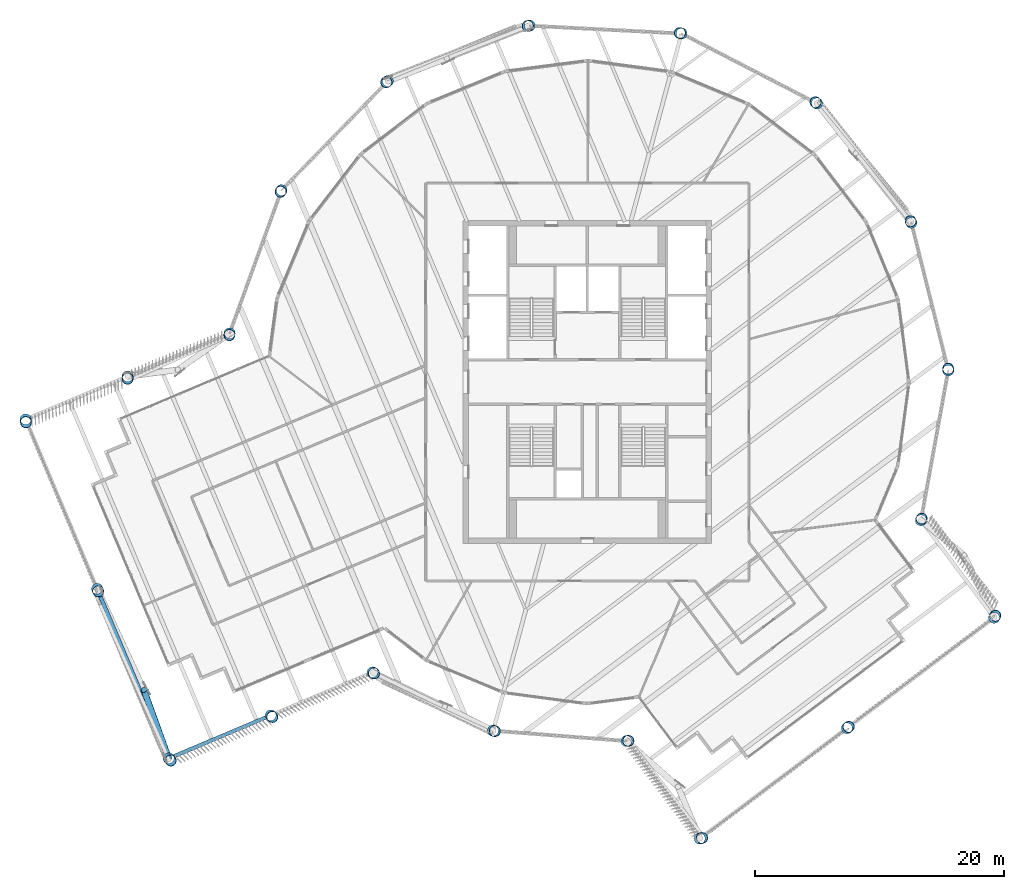
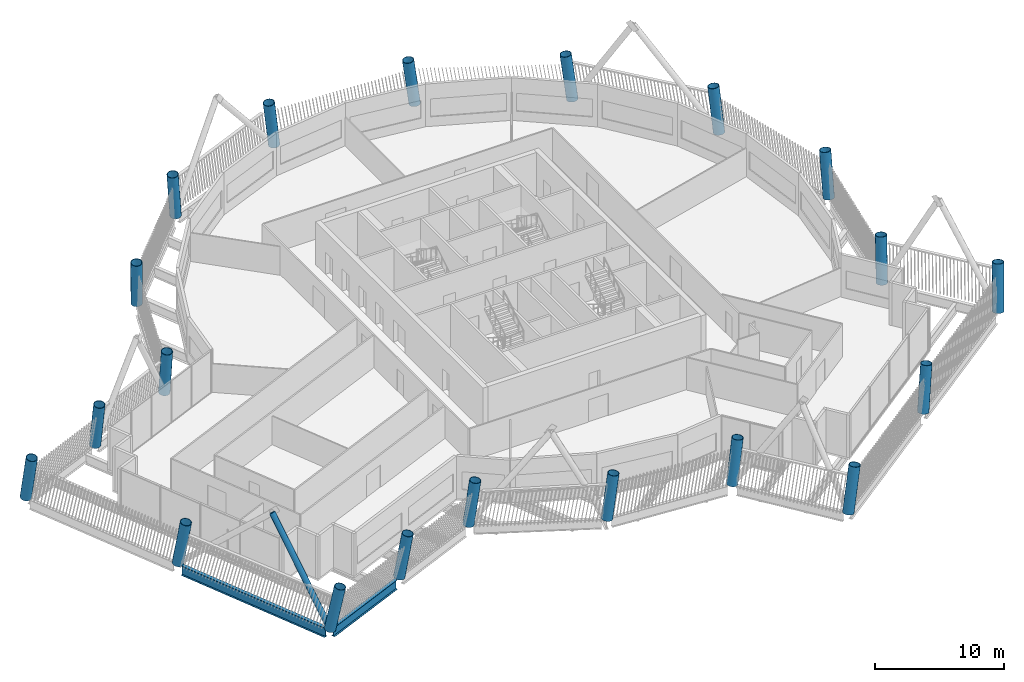
# One storey, part 1 of 35: 20 columns, 2 beams, 1 member.
"""IFC4 building model written with IfcOpenShell, lengths in metres."""

from ifc_helpers import new_model, si_unit, direction, frame, origin, origin_2d, place, context, subcontext, project, spatial, hollow_circle, i_section, extrude, material, material_profile, profile_set, type_object, element, save


model = new_model("IFC4")

# Units and contexts
model_context = context("Model", 3, precision=1e-05, world=origin(), true_north=direction((0.0, 1.0)))
body_context = subcontext(model_context, "Body", "Model", "MODEL_VIEW")
ifc_project = project(units=[si_unit("LENGTHUNIT", "METRE"), si_unit("AREAUNIT", "SQUARE_METRE"), si_unit("VOLUMEUNIT", "CUBIC_METRE"), si_unit("PLANEANGLEUNIT", "RADIAN"), si_unit("MASSUNIT", "GRAM", prefix="KILO")], contexts=[model_context])

# Site, building, storey
site_placement = place(None, origin())
site = spatial("IfcSite", under=ifc_project, at=site_placement, CompositionType="ELEMENT")
building_placement = place(site_placement, origin())
building = spatial("IfcBuilding", under=site, at=building_placement, Name="Tarsis Ring Headquarters", CompositionType="ELEMENT")
storey_placement = place(building_placement, frame((0.0, 0.0, 377.60009765625)))
storey = spatial("IfcBuildingStorey", under=building, at=storey_placement, Name="L89", CompositionType="ELEMENT", Elevation=377.60009765625)

# Columns
ifc_material = material(Name="Structural steel S355", Category="steel")
ifc_material_profile_1 = material_profile(ifc_material, hollow_circle(Radius=0.45703125, WallThickness=0.0400390625, at=origin_2d()), Name="CHS 914x40")
ifc_profile_set_1 = profile_set([ifc_material_profile_1], Name="Structural steel S355")
column_type = type_object("IfcColumnType", Name="XC Exo column CHS 914x40", PredefinedType="COLUMN", material=ifc_profile_set_1)
for number, where, z_axis, x_axis, name in (
    (1, (-7.576904296875, -28.04296875, 0.0009765625), (0.120542616299, -0.03139070525, 0.992211722003), (0.25200700037, 0.967725411346, 0.0), "Exo column XC8 F1"),
    (2, (3.16259765625, -28.875732421875, 0.0009765625), (0.123659200811, 0.014656760152, 0.992216499277), (-0.117701562896, 0.993049012935, 0.0), "Exo column XC8 AK"),
):
    element("IfcColumn", number, at=place(storey_placement, frame(where, z_axis=z_axis, x_axis=x_axis)), inside=storey, type_object=column_type, Name=name, PredefinedType="COLUMN", context=body_context, shape_type="SweptSolid", body=[
        extrude(hollow_circle(Radius=0.457275390625, WallThickness=0.0400390625, at=origin_2d()), origin(), (0.0, 0.0, 1.0), 4.23095703125),
    ])
column_1_placement = place(storey_placement, frame((9.046630859375, -36.71826171875, 0.001220703125), z_axis=(0.156247407941, 0.040008979917, 0.98690730519), x_axis=(-0.248058522745, 0.968745048655, 0.0)))
element("IfcColumn", 3, at=column_1_placement, inside=storey, type_object=column_type, Name="Exo column XC8 AT1", PredefinedType="COLUMN", context=body_context, shape_type="SweptSolid", body=[
    extrude(hollow_circle(Radius=0.457275390625, WallThickness=0.0400390625, at=origin_2d()), origin(), (0.0, 0.0, 1.0), 4.253173828125),
])
column_2_placement = place(storey_placement, frame((20.885009765625, -27.836181640625, 0.0009765625), z_axis=(0.118132346334, 0.090295902504, 0.988883915705), x_axis=(-0.607277806308, 0.794489563157, 0.0)))
element("IfcColumn", 4, at=column_2_placement, inside=storey, type_object=column_type, Name="Exo column XC8 AT2", PredefinedType="COLUMN", context=body_context, shape_type="SweptSolid", body=[
    extrude(hollow_circle(Radius=0.457275390625, WallThickness=0.0400390625, at=origin_2d()), origin(), (0.0, 0.0, 1.0), 4.244873046875),
])
column_3_placement = place(storey_placement, frame((32.723388671875, -18.9541015625, 0.001220703125), z_axis=(0.079558872251, 0.140289959439, 0.986908867691), x_axis=(-0.869859296981, 0.493299912281, 0.0)))
element("IfcColumn", 5, at=column_3_placement, inside=storey, type_object=column_type, Name="Exo column XC8 AT3", PredefinedType="COLUMN", context=body_context, shape_type="SweptSolid", body=[
    extrude(hollow_circle(Radius=0.457275390625, WallThickness=0.0400390625, at=origin_2d()), origin(), (0.0, 0.0, 1.0), 4.253173828125),
])
for number, where, z_axis, x_axis, name in (
    (6, (26.83935546875, -11.111572265625, 0.0009765625), (0.04656677318, 0.115522527765, 0.99221271974), (-0.927482932269, 0.373865497673, 0.0), "Exo column XC8 AJ"),
    (7, (29.033447265625, 0.939208984375, 0.0009765625), (-0.005193307494, 0.124466269618, 0.992210248528), (-0.999130663082, -0.041688344774, 0.0), "Exo column XC8 R1"),
    (8, (26.065185546875, 12.822998046875, 0.0009765625), (-0.056030085059, 0.111252321313, 0.992211444487), (-0.89312635757, -0.449805857469, 0.0), "Exo column XC8 R2"),
    (9, (18.46240234375, 22.4267578125, 0.0009765625), (-0.096884078256, 0.078303570097, 0.992210676364), (-0.62858506405, -0.77774084196, 0.0), "Exo column XC8 R3"),
    (10, (7.576904296875, 28.04296875, 0.0009765625), (-0.120542616299, 0.03139070525, 0.992211722003), (-0.25200700037, -0.967725411346, 0.0), "Exo column XC8 R4"),
    (11, (-4.65576171875, 28.673095703125, 0.0009765625), (-0.122735711471, -0.021119544146, 0.992214649148), (0.169581073748, -0.985516240062, 0.0), "Exo column XC8 R5"),
    (12, (-16.060546875, 24.204833984375, 0.0009765625), (-0.103173658219, -0.069821099801, 0.992209761226), (0.560458898578, -0.828182240213, 0.0), "Exo column XC8 R6"),
    (13, (-24.609619140625, 15.43310546875, 0.0009765625), (-0.065262528, -0.106116524307, 0.992209698455), (0.851801415779, -0.523864818514, 0.0), "Exo column XC8 R7"),
    (14, (-28.783203125, 3.9169921875, 0.0009765625), (-0.015695404677, -0.123543608136, 0.992215012566), (0.992026374636, -0.126030440869, 0.0), "Exo column XC8 BJ"),
):
    element("IfcColumn", number, at=place(storey_placement, frame(where, z_axis=z_axis, x_axis=x_axis)), inside=storey, type_object=column_type, Name=name, PredefinedType="COLUMN", context=body_context, shape_type="SweptSolid", body=[
        extrude(hollow_circle(Radius=0.457275390625, WallThickness=0.0400390625, at=origin_2d()), origin(), (0.0, 0.0, 1.0), 4.23095703125),
    ])
column_4_placement = place(storey_placement, frame((-36.985107421875, 0.455810546875, 0.001220703125), z_axis=(-0.000516907848, -0.157829196192, 0.987466291898), x_axis=(0.999994636873, -0.003275091605, 0.0)))
element("IfcColumn", 15, at=column_4_placement, inside=storey, type_object=column_type, Name="Exo column XC8 BO1", PredefinedType="COLUMN", context=body_context, shape_type="SweptSolid", body=[
    extrude(hollow_circle(Radius=0.457275390625, WallThickness=0.0400390625, at=origin_2d()), origin(), (0.0, 0.0, 1.0), 4.250732421875),
])
column_5_placement = place(storey_placement, frame((-45.186767578125, -3.00537109375, 0.001220703125), z_axis=(0.014499252043, -0.191515711044, 0.981382445387), x_axis=(0.997146418074, 0.075491859967, 0.0)))
element("IfcColumn", 16, at=column_5_placement, inside=storey, type_object=column_type, Name="Exo column XC8 BT3", PredefinedType="COLUMN", context=body_context, shape_type="SweptSolid", body=[
    extrude(hollow_circle(Radius=0.457275390625, WallThickness=0.0400390625, at=origin_2d()), origin(), (0.0, 0.0, 1.0), 4.27685546875),
])
column_6_placement = place(storey_placement, frame((-39.432373046875, -16.640869140625, 0.001220703125), z_axis=(0.0722386159, -0.166955280928, 0.983314556255), x_axis=(0.917773429949, 0.397104433719, 0.0)))
element("IfcColumn", 17, at=column_6_placement, inside=storey, type_object=column_type, Name="Exo column XC8 BT2", PredefinedType="COLUMN", context=body_context, shape_type="SweptSolid", body=[
    extrude(hollow_circle(Radius=0.457275390625, WallThickness=0.0400390625, at=origin_2d()), origin(), (0.0, 0.0, 1.0), 4.2685546875),
])
column_7_placement = place(storey_placement, frame((-33.677978515625, -30.276611328125, 0.001220703125), z_axis=(0.12969477236, -0.141625321402, 0.981387555638), x_axis=(0.737487199444, 0.6753611113, 0.0)))
element("IfcColumn", 18, at=column_7_placement, inside=storey, type_object=column_type, Name="Exo column XC8 BT1", PredefinedType="COLUMN", context=body_context, shape_type="SweptSolid", body=[
    extrude(hollow_circle(Radius=0.457275390625, WallThickness=0.0400390625, at=origin_2d()), origin(), (0.0, 0.0, 1.0), 4.27685546875),
])
column_8_placement = place(storey_placement, frame((-25.476318359375, -26.815185546875, 0.001220703125), z_axis=(0.115441964406, -0.107688399632, 0.987459549267), x_axis=(0.682123796643, 0.731236710001, 0.0)))
element("IfcColumn", 19, at=column_8_placement, inside=storey, type_object=column_type, Name="Exo column XC8 BI1", PredefinedType="COLUMN", context=body_context, shape_type="SweptSolid", body=[
    extrude(hollow_circle(Radius=0.457275390625, WallThickness=0.0400390625, at=origin_2d()), origin(), (0.0, 0.0, 1.0), 4.250732421875),
])
column_9_placement = place(storey_placement, frame((-17.2744140625, -23.35400390625, 0.0009765625), z_axis=(0.100808022541, -0.073168043837, 0.992211761648), x_axis=(0.587400182646, 0.809296623882, 0.0)))
element("IfcColumn", 20, at=column_9_placement, inside=storey, type_object=column_type, Name="Exo column XC8 BK", PredefinedType="COLUMN", context=body_context, shape_type="SweptSolid", body=[
    extrude(hollow_circle(Radius=0.457275390625, WallThickness=0.0400390625, at=origin_2d()), origin(), (0.0, 0.0, 1.0), 4.23095703125),
])

# Member
ifc_material_profile_2 = material_profile(ifc_material, hollow_circle(Radius=0.25390625, WallThickness=0.02001953125, at=origin_2d()), Name="CHS 508x20")
ifc_profile_set_2 = profile_set([ifc_material_profile_2], Name="Structural steel S355")
member_type = type_object("IfcMemberType", Name="XD X brace CHS 508x20", PredefinedType="BRACE", material=ifc_profile_set_2)
member_placement = place(storey_placement, frame((-33.67822265625, -30.2763671875, 0.0), z_axis=(-0.195451294335, 0.53767580726, 0.820185050968), x_axis=(-0.939831132245, -0.341639346188, 0.0)))
element("IfcMember", 21, at=member_placement, inside=storey, type_object=member_type, Name="X brace XD2", PredefinedType="BRACE", context=body_context, shape_type="SweptSolid", body=[
    extrude(hollow_circle(Radius=0.25390625, WallThickness=0.02001953125, at=origin_2d()), origin(), (0.0, 0.0, 1.0), 10.241455078125),
])

# Beams
ifc_material_profile_3 = material_profile(ifc_material, i_section(OverallWidth=0.3046875, OverallDepth=0.91943359375, WebThickness=0.017333984375, FlangeThickness=0.02783203125, at=origin_2d()), Name="W36x170")
ifc_profile_set_3 = profile_set([ifc_material_profile_3], Name="Structural steel S355")
beam_type = type_object("IfcBeamType", Name="XG Ring girder W36x170", PredefinedType="BEAM", material=ifc_profile_set_3)
beam_1_placement = place(storey_placement, frame((-39.2724609375, -17.019775390625, -0.4599609375), z_axis=(0.38880105589, -0.921321734759, 0.0), x_axis=(0.921321734759, 0.38880105589, 0.0)))
element("IfcBeam", 22, at=beam_1_placement, inside=storey, type_object=beam_type, Name="Ring girder XG4", PredefinedType="BEAM", context=body_context, shape_type="SweptSolid", body=[
    extrude(i_section(OverallWidth=0.3046875, OverallDepth=0.91943359375, WebThickness=0.017333984375, FlangeThickness=0.02783203125, at=origin_2d()), origin(), (0.0, 0.0, 1.0), 13.97705078125),
])
beam_2_placement = place(storey_placement, frame((-33.299072265625, -30.1162109375, -0.4599609375), z_axis=(0.921326786172, 0.388789085601, 0.0), x_axis=(-0.388789085601, 0.921326786172, 0.0)))
element("IfcBeam", 23, at=beam_2_placement, inside=storey, type_object=beam_type, Name="Ring girder XG4", PredefinedType="BEAM", context=body_context, shape_type="SweptSolid", body=[
    extrude(i_section(OverallWidth=0.3046875, OverallDepth=0.91943359375, WebThickness=0.017333984375, FlangeThickness=0.02783203125, at=origin_2d()), origin(), (0.0, 0.0, 1.0), 8.0791015625),
])

save(model, "model.ifc")
